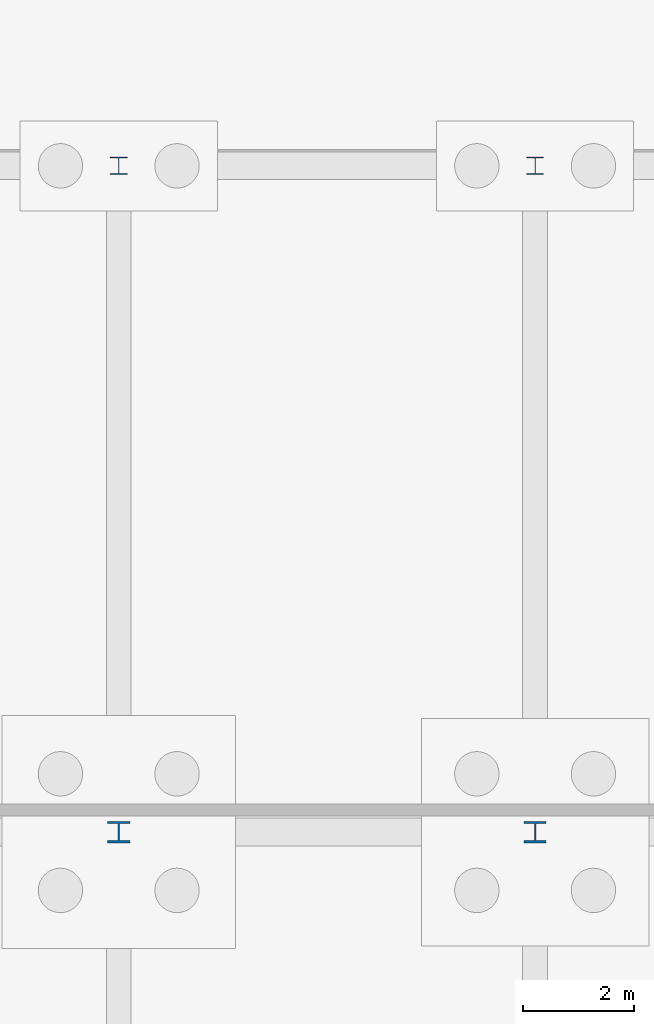
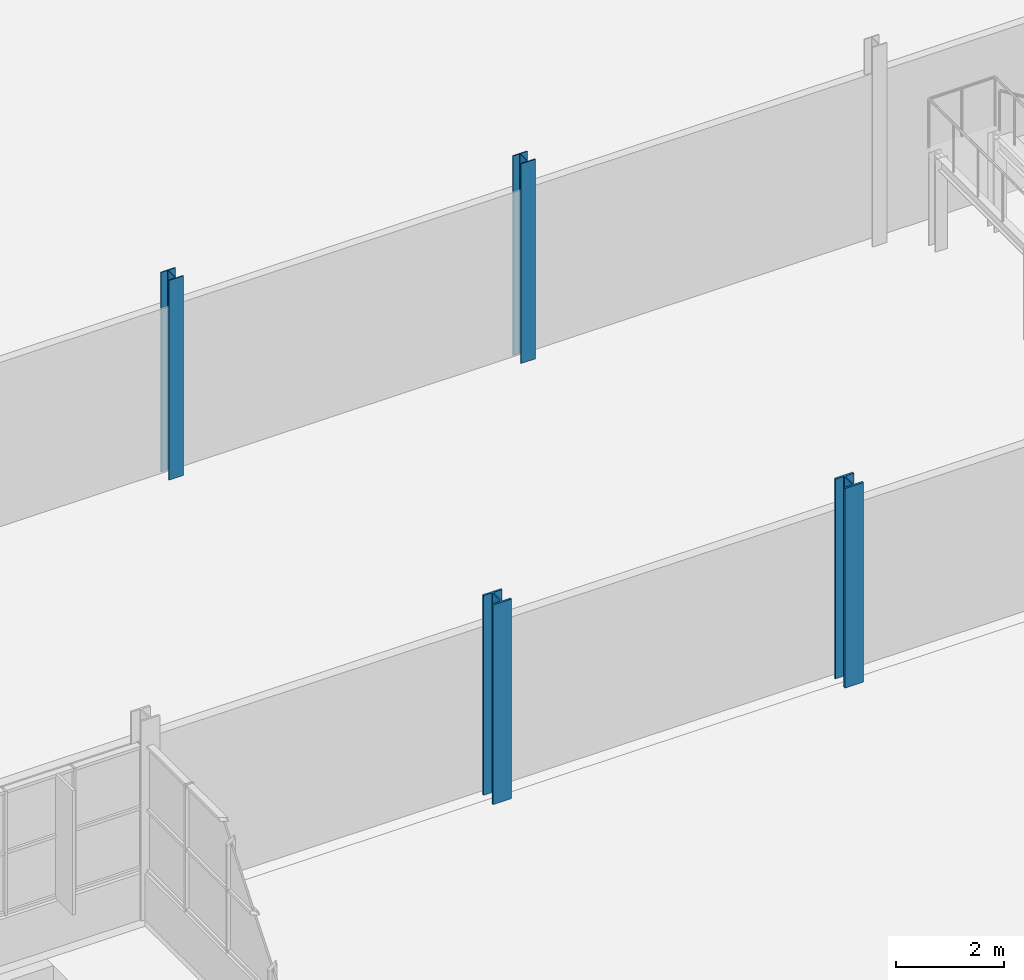
# One storey, part 19 of 136: 4 columns.
"""IFC4 building model written with IfcOpenShell, lengths in metres."""

import ifcopenshell
import ifcopenshell.guid

model = None  # the IFC model being written
_history = None  # IfcOwnerHistory: only IFC2X3 demands one
_inside = {}  # id of a spatial element -> (the spatial element, [elements in it])
_under = {}  # id of a project, library or spatial element -> (it, [spatial elements below it])
_declared = {}  # id of a project -> (the project, [libraries it declares])
_typed = {}  # id of a type object -> (the type object, [elements of that type])
_made_of = {}  # id of a material, layer set ... -> (it, [elements and type objects made of it])


def new_model(schema):
    """Start an empty IFC model of exactly this schema.

    Asked for "IFC4X3", IfcOpenShell would pick the latest addendum, in which some entities
    have other attributes; the version numbers below select the first issue.
    IFC2X3 requires an IfcOwnerHistory on every rooted entity: one is made here for all.
    """
    global model, _history
    if schema == "IFC4X3":
        model = ifcopenshell.file(schema_version=(4, 3, 0, 0))
    else:
        model = ifcopenshell.file(schema=schema)
    _inside.clear()
    _under.clear()
    _declared.clear()
    _typed.clear()
    _made_of.clear()
    _history = None
    if model.schema == "IFC2X3":
        org = make("IfcOrganization", Name="unknown")
        user = make(
            "IfcPersonAndOrganization",
            ThePerson=make("IfcPerson", FamilyName="unknown"),
            TheOrganization=org,
        )
        app = make(
            "IfcApplication",
            ApplicationDeveloper=org,
            Version="unknown",
            ApplicationFullName="unknown",
            ApplicationIdentifier="unknown",
        )
        _history = make(
            "IfcOwnerHistory",
            OwningUser=user,
            OwningApplication=app,
            ChangeAction="ADDED",
            CreationDate=0,
        )
    return model


def make(cls, **values):
    """One entity of the class cls with the attributes given. An attribute that is None is left unset."""
    return model.create_entity(
        cls, **{name: value for name, value in values.items() if value is not None}
    )


def rooted(cls, **values):
    """An entity with a GlobalId (a new one), such as an element, a storey or a relation."""
    return make(cls, GlobalId=ifcopenshell.guid.new(), OwnerHistory=_history, **values)


def si_unit(unit_type, name, prefix=None):
    """IfcSIUnit, for example si_unit("LENGTHUNIT", "METRE", prefix="MILLI")."""
    return make("IfcSIUnit", UnitType=unit_type, Prefix=prefix, Name=name)


def assignment(units):
    """IfcUnitAssignment: the units of a project."""
    return None if units is None else make("IfcUnitAssignment", Units=units)


def point(xyz):
    """IfcCartesianPoint."""
    return None if xyz is None else make("IfcCartesianPoint", Coordinates=xyz)


def direction(xyz):
    """IfcDirection."""
    return None if xyz is None else make("IfcDirection", DirectionRatios=xyz)


def frame(location, z_axis=None, x_axis=None):
    """IfcAxis2Placement3D, a coordinate frame: its origin and axes. An axis left out is left unset."""
    return make(
        "IfcAxis2Placement3D",
        Location=point(location),
        Axis=direction(z_axis),
        RefDirection=direction(x_axis),
    )


def frame_2d(location, x_axis=None):
    """IfcAxis2Placement2D, a coordinate frame in the plane: its origin and x axis."""
    return make(
        "IfcAxis2Placement2D", Location=point(location), RefDirection=direction(x_axis)
    )


def origin():
    """The frame at (0, 0, 0) with its axes left unset."""
    return frame((0.0, 0.0, 0.0))


def origin_2d():
    """The frame at (0, 0) in the plane with its x axis left unset."""
    return frame_2d((0.0, 0.0))


def place(relative_to, where):
    """IfcLocalPlacement: puts the frame where relative to a parent placement (None: the world)."""
    return make(
        "IfcLocalPlacement", PlacementRelTo=relative_to, RelativePlacement=where
    )


def context(
    kind, dimensions, precision=None, world=None, true_north=None, identifier=None
):
    """IfcGeometricRepresentationContext, for example the 3D "Model" context."""
    return make(
        "IfcGeometricRepresentationContext",
        ContextIdentifier=identifier,
        ContextType=kind,
        CoordinateSpaceDimension=dimensions,
        Precision=precision,
        WorldCoordinateSystem=world,
        TrueNorth=true_north,
    )


def subcontext(parent, identifier, kind, view, scale=None):
    """IfcGeometricRepresentationSubContext, for example "Body" below "Model"."""
    return make(
        "IfcGeometricRepresentationSubContext",
        ContextIdentifier=identifier,
        ContextType=kind,
        ParentContext=parent,
        TargetScale=scale,
        TargetView=view,
    )


def project(units=None, contexts=None):
    """IfcProject with its units and contexts."""
    return rooted(
        "IfcProject",
        Name="project",
        RepresentationContexts=contexts,
        UnitsInContext=assignment(units),
    )


def spatial(cls, under=None, at=None, **own):
    """A site, building, storey or space (cls), placed at a placement, below another one or the project."""
    s = rooted(cls, ObjectPlacement=at, **own)
    if under is not None:
        _under.setdefault(under.id(), (under, []))[1].append(s)
    return s


def profile(cls, at=None, kind="AREA", **sizes):
    """A parametric profile (cls). Its sizes go by their IFC names, for example OverallWidth=200.0."""
    return make(cls, ProfileType=kind, Position=at, **sizes)


def i_section(**sizes):
    """IfcIShapeProfileDef."""
    return profile("IfcIShapeProfileDef", **sizes)


def extrude(swept, where, along, depth):
    """IfcExtrudedAreaSolid: the profile swept, set in the frame where, extruded along a direction by depth."""
    return make(
        "IfcExtrudedAreaSolid",
        SweptArea=swept,
        Position=where,
        ExtrudedDirection=direction(along),
        Depth=depth,
    )


def shape(context_of_items, identifier, shape_type, items):
    """IfcShapeRepresentation: the items that make up one representation, for example the "Body"."""
    return make(
        "IfcShapeRepresentation",
        ContextOfItems=context_of_items,
        RepresentationIdentifier=identifier,
        RepresentationType=shape_type,
        Items=items,
    )


def material(Name=None, Category=None):
    """IfcMaterial."""
    return make("IfcMaterial", Name=Name, Category=Category)


def material_profile(
    of_material, cross_section, Name=None, Category=None, Priority=None
):
    """IfcMaterialProfile: a cross section and its material."""
    return make(
        "IfcMaterialProfile",
        Name=Name,
        Material=of_material,
        Profile=cross_section,
        Priority=Priority,
        Category=Category,
    )


def profile_set(profiles, Name=None, composite=None):
    """IfcMaterialProfileSet."""
    return make(
        "IfcMaterialProfileSet",
        Name=Name,
        MaterialProfiles=profiles,
        CompositeProfile=composite,
    )


def made_of(thing, what):
    """Note that an element or type object is made of a material, layer set ...; save() writes the relation."""
    if what is not None:
        _made_of.setdefault(what.id(), (what, []))[1].append(thing)
    return thing


def type_object(cls, material=None, **own):
    """A type object (cls), such as IfcWallType, which elements share."""
    return made_of(rooted(cls, **own), material)


def element(
    cls,
    number,
    at=None,
    inside=None,
    cuts=None,
    type_object=None,
    material=None,
    context=None,
    identifier="Body",
    shape_type=None,
    held_by="IfcProductDefinitionShape",
    body=None,
    shapes=None,
    **own,
):
    """One element of the class cls, such as IfcWall. Its Tag is "e" and its number.

    at: its placement. inside: the storey or other place that contains it. cuts: it is an
    opening in that element (IfcRelVoidsElement). A single representation is given by context,
    identifier, shape_type and body (its items); several are given by shapes. held_by: the class
    of the entity that holds the representations. save() writes the other relations.
    """
    e = rooted(cls, Tag="e%d" % number, ObjectPlacement=at, **own)
    if body is not None:
        shapes = [shape(context, identifier, shape_type, body)]
    if shapes is not None:
        e.Representation = make(held_by, Representations=shapes)
    if inside is not None:
        _inside.setdefault(inside.id(), (inside, []))[1].append(e)
    if cuts is not None:
        rooted(
            "IfcRelVoidsElement", RelatingBuildingElement=cuts, RelatedOpeningElement=e
        )
    if type_object is not None:
        _typed.setdefault(type_object.id(), (type_object, []))[1].append(e)
    return made_of(e, material)


def aggregate(whole, parts):
    """IfcRelAggregates: a whole, such as a stair, and the parts it consists of."""
    return rooted("IfcRelAggregates", RelatingObject=whole, RelatedObjects=parts)


def save(model, path):
    """Write the relations noted so far, then the file.

    IfcRelAggregates (storeys below a building ...), IfcRelContainedInSpatialStructure (elements
    in a storey), IfcRelDefinesByType, IfcRelAssociatesMaterial and IfcRelDeclares: one each for
    every whole, place, type object, material and project.
    """
    for whole, parts in _under.values():
        aggregate(whole, parts)
    for where, things in _inside.values():
        rooted(
            "IfcRelContainedInSpatialStructure",
            RelatedElements=things,
            RelatingStructure=where,
        )
    for kind, things in _typed.values():
        rooted("IfcRelDefinesByType", RelatedObjects=things, RelatingType=kind)
    for what, things in _made_of.values():
        rooted("IfcRelAssociatesMaterial", RelatedObjects=things, RelatingMaterial=what)
    for by, libraries in _declared.values():
        rooted("IfcRelDeclares", RelatingContext=by, RelatedDefinitions=libraries)
    model.write(path)


model = new_model("IFC4")

# Units and contexts
model_context = context("Model", 3, precision=1e-05, world=origin(), true_north=direction((0.0, 1.0)))
body_context = subcontext(model_context, "Body", "Model", "MODEL_VIEW")
ifc_project = project(units=[si_unit("LENGTHUNIT", "METRE"), si_unit("AREAUNIT", "SQUARE_METRE"), si_unit("VOLUMEUNIT", "CUBIC_METRE"), si_unit("PLANEANGLEUNIT", "RADIAN"), si_unit("MASSUNIT", "GRAM", prefix="KILO")], contexts=[model_context])

# Site, building, storey
site_placement = place(None, origin())
site = spatial("IfcSite", under=ifc_project, at=site_placement, CompositionType="ELEMENT")
building_placement = place(site_placement, origin())
building = spatial("IfcBuilding", under=site, at=building_placement, Name="Solvenia Promenade Tram Depot", CompositionType="ELEMENT")
storey_placement = place(building_placement, origin())
storey = spatial("IfcBuildingStorey", under=building, at=storey_placement, Name="L00", CompositionType="ELEMENT", Elevation=0.0)

# Columns
ifc_material = material(Name="Structural steel ASTM A992 Gr. 50", Category="steel")
ifc_material_profile_1 = material_profile(ifc_material, i_section(OverallWidth=0.306884765625, OverallDepth=0.31396484375, WebThickness=0.011962890625, FlangeThickness=0.018798828125, FilletRadius=0.014892578125, at=origin_2d()), Name="W310x117", Category="steel")
ifc_profile_set_1 = profile_set([ifc_material_profile_1], Name="Structural steel ASTM A992 Gr. 50")
column_type_1 = type_object("IfcColumnType", Name="Col-W310x117", PredefinedType="COLUMN", material=ifc_profile_set_1)
for number, where, z_axis, x_axis, name in (
    (1, (112.5, 78.0, 0.0), (0.0, 0.0, 1.0), (1.0, 0.0, 0.0), "Steel Column COL-L00-223"),
    (2, (120.0, 78.0, 0.0), (0.0, 0.0, 1.0), (1.0, 0.0, 0.0), "Steel Column COL-L00-241"),
):
    element("IfcColumn", number, at=place(storey_placement, frame(where, z_axis=z_axis, x_axis=x_axis)), inside=storey, type_object=column_type_1, Name=name, PredefinedType="COLUMN", context=body_context, shape_type="SweptSolid", body=[
        extrude(i_section(OverallWidth=0.306884765625, OverallDepth=0.31396484375, WebThickness=0.011962890625, FlangeThickness=0.018798828125, FilletRadius=0.014892578125, at=origin_2d()), origin(), (0.0, 0.0, 1.0), 4.5),
    ])
ifc_material_profile_2 = material_profile(ifc_material, i_section(OverallWidth=0.39794921875, OverallDepth=0.386962890625, WebThickness=0.0244140625, FlangeThickness=0.03955078125, FilletRadius=0.01806640625, at=origin_2d()), Name="W360x262", Category="steel")
ifc_profile_set_2 = profile_set([ifc_material_profile_2], Name="Structural steel ASTM A992 Gr. 50")
column_type_2 = type_object("IfcColumnType", Name="Col-W360x262", PredefinedType="COLUMN", material=ifc_profile_set_2)
for number, where, z_axis, x_axis, name in (
    (3, (112.5, 66.0, 0.0), (0.0, 0.0, 1.0), (1.0, 0.0, 0.0), "Steel Column COL-L00-220"),
    (4, (120.0, 66.0, 0.0), (0.0, 0.0, 1.0), (1.0, 0.0, 0.0), "Steel Column COL-L00-237"),
):
    element("IfcColumn", number, at=place(storey_placement, frame(where, z_axis=z_axis, x_axis=x_axis)), inside=storey, type_object=column_type_2, Name=name, PredefinedType="COLUMN", context=body_context, shape_type="SweptSolid", body=[
        extrude(i_section(OverallWidth=0.39794921875, OverallDepth=0.386962890625, WebThickness=0.0244140625, FlangeThickness=0.03955078125, FilletRadius=0.01806640625, at=origin_2d()), origin(), (0.0, 0.0, 1.0), 4.5),
    ])

save(model, "model.ifc")
